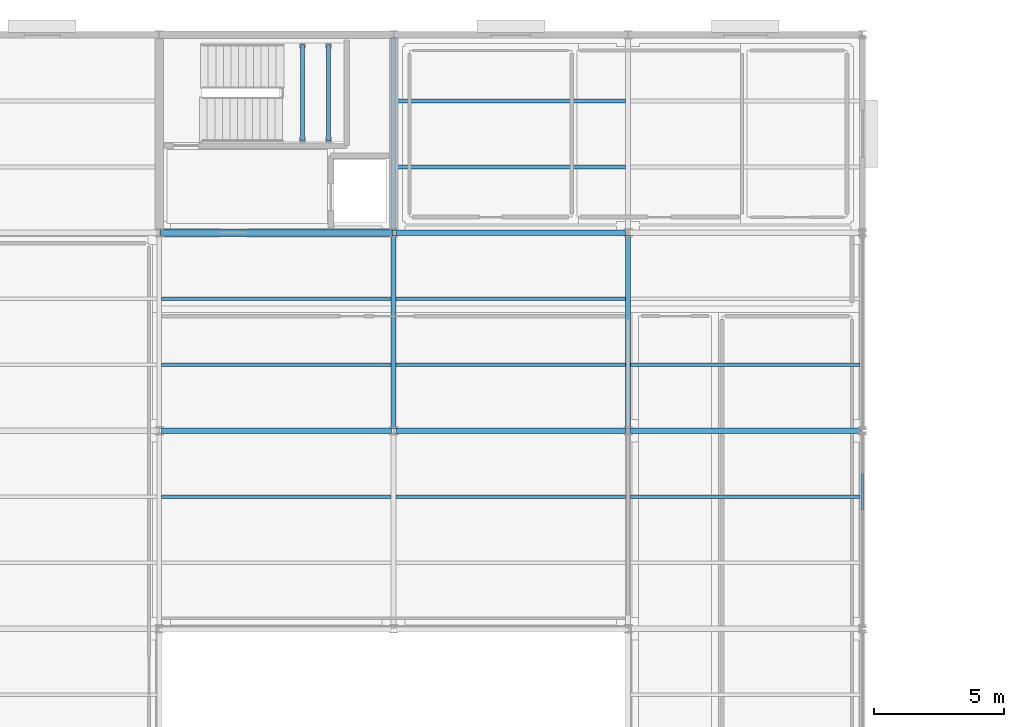
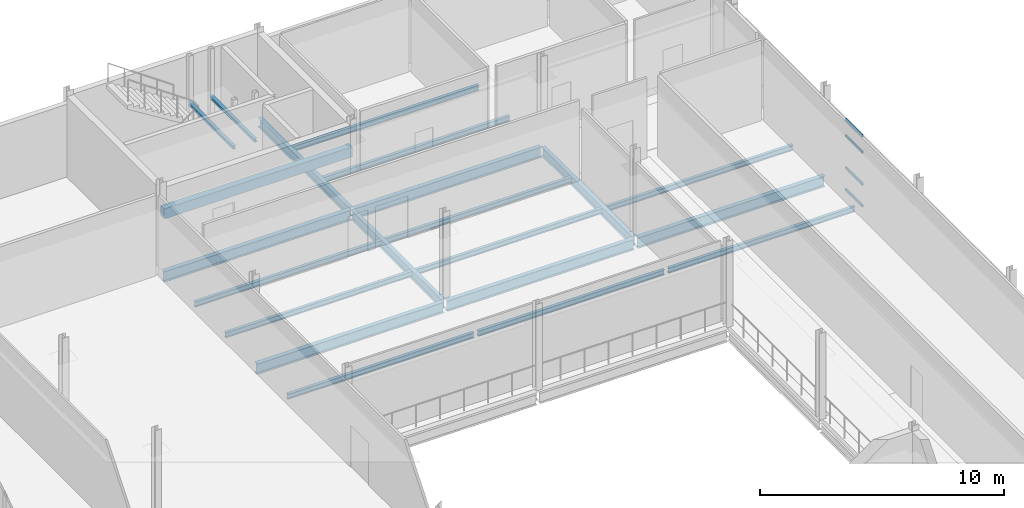
# One storey, part 119 of 166: 21 beams, 4 members, 1 element without a shape of its own.
"""IFC4 building model written with IfcOpenShell, lengths in metres."""

from ifc_helpers import new_model, si_unit, direction, frame, origin, origin_2d, place, context, subcontext, project, spatial, rectangle, hollow_rectangle, i_section, extrude, material, material_profile, profile_set, type_object, element, aggregate, save


model = new_model("IFC4")

# Units and contexts
model_context = context("Model", 3, precision=1e-05, world=origin(), true_north=direction((0.0, 1.0)))
body_context = subcontext(model_context, "Body", "Model", "MODEL_VIEW")
ifc_project = project(units=[si_unit("LENGTHUNIT", "METRE"), si_unit("AREAUNIT", "SQUARE_METRE"), si_unit("VOLUMEUNIT", "CUBIC_METRE"), si_unit("PLANEANGLEUNIT", "RADIAN"), si_unit("MASSUNIT", "GRAM", prefix="KILO")], contexts=[model_context])

# Site, building, storey
site_placement = place(None, origin())
site = spatial("IfcSite", under=ifc_project, at=site_placement, CompositionType="ELEMENT")
building_placement = place(site_placement, origin())
building = spatial("IfcBuilding", under=site, at=building_placement, Name="Caisbarro Railhouse Central Library", CompositionType="ELEMENT")
storey_placement = place(building_placement, frame((0.0, 0.0, 9.360107421875)))
storey = spatial("IfcBuildingStorey", under=building, at=storey_placement, Name="L02", CompositionType="ELEMENT", Elevation=9.360107421875)

# Beams
ifc_material_1 = material(Name="Steel ASTM A572 Grade 50", Category="steel")
ifc_material_profile_1 = material_profile(ifc_material_1, i_section(OverallWidth=0.208984375, OverallDepth=0.532958984375, WebThickness=0.01025390625, FlangeThickness=0.015625, FilletRadius=0.02001953125, at=origin_2d()), Name="W530X92.0")
ifc_profile_set_1 = profile_set([ifc_material_profile_1], Name="Steel ASTM A572 Grade 50")
beam_type_1 = type_object("IfcBeamType", Name="BM-G06", PredefinedType="BEAM", material=ifc_profile_set_1)
for number, where, z_axis, x_axis, name in (
    (1, (126.080078125, 98.800048828125, -0.486572265625), (1.0, 0.0, 0.0), (0.0, 1.0, 0.0), "G06 beam L02 #1495"),
    (2, (135.080078125, 98.800048828125, -0.486572265625), (1.0, 0.0, 0.0), (0.0, 1.0, 0.0), "G06 beam L02 #1496"),
    (3, (144.080078125, 98.800048828125, -0.486572265625), (1.0, 0.0, 0.0), (0.0, 1.0, 0.0), "G06 beam L02 #1497"),
    (4, (126.080078125, 106.39990234375, -0.486572265625), (1.0, 0.0, 0.0), (0.0, 1.0, 0.0), "G06 beam L02 #1499"),
    (5, (135.080078125, 106.39990234375, -0.486572265625), (1.0, 0.0, 0.0), (0.0, 1.0, 0.0), "G06 beam L02 #1500"),
):
    element("IfcBeam", number, at=place(storey_placement, frame(where, z_axis=z_axis, x_axis=x_axis)), inside=storey, type_object=beam_type_1, Name=name, PredefinedType="BEAM", context=body_context, shape_type="SweptSolid", body=[
        extrude(i_section(OverallWidth=0.208984375, OverallDepth=0.532958984375, WebThickness=0.01025390625, FlangeThickness=0.015625, FilletRadius=0.02001953125, at=origin_2d()), origin(), (0.0, 0.0, 1.0), 8.83984375),
    ])
ifc_material_profile_2 = material_profile(ifc_material_1, i_section(OverallWidth=0.18994140625, OverallDepth=0.45703125, WebThickness=0.009033203125, FlangeThickness=0.014404296875, FilletRadius=0.01806640625, at=origin_2d()), Name="W460X74.0")
ifc_profile_set_2 = profile_set([ifc_material_profile_2], Name="Steel ASTM A572 Grade 50")
beam_type_2 = type_object("IfcBeamType", Name="BM-G08", PredefinedType="BEAM", material=ifc_profile_set_2)
beam_1_placement = place(storey_placement, frame((135.0, 98.8798828125, -0.448486328125), z_axis=(0.0, 1.0, 0.0), x_axis=(-1.0, 0.0, 0.0)))
element("IfcBeam", 6, at=beam_1_placement, inside=storey, type_object=beam_type_2, Name="G08 beam L02 #1523", PredefinedType="BEAM", context=body_context, shape_type="SweptSolid", body=[
    extrude(i_section(OverallWidth=0.18994140625, OverallDepth=0.45703125, WebThickness=0.009033203125, FlangeThickness=0.014404296875, FilletRadius=0.01806640625, at=origin_2d()), origin(), (0.0, 0.0, 1.0), 7.440185546875),
])
beam_2_placement = place(storey_placement, frame((135.0, 106.47998046875, -0.448486328125), z_axis=(0.0, 1.0, 0.0), x_axis=(-1.0, 0.0, 0.0)))
element("IfcBeam", 7, at=beam_2_placement, inside=storey, type_object=beam_type_2, Name="G08 beam L02 #1524", PredefinedType="BEAM", context=body_context, shape_type="SweptSolid", body=[
    extrude(i_section(OverallWidth=0.18994140625, OverallDepth=0.45703125, WebThickness=0.009033203125, FlangeThickness=0.014404296875, FilletRadius=0.01806640625, at=origin_2d()), origin(), (0.0, 0.0, 1.0), 7.43994140625),
])
beam_3_placement = place(storey_placement, frame((144.0, 98.8798828125, -0.448486328125), z_axis=(0.0, 1.0, 0.0), x_axis=(-1.0, 0.0, 0.0)))
element("IfcBeam", 8, at=beam_3_placement, inside=storey, type_object=beam_type_2, Name="G08 beam L02 #1530", PredefinedType="BEAM", context=body_context, shape_type="SweptSolid", body=[
    extrude(i_section(OverallWidth=0.18994140625, OverallDepth=0.45703125, WebThickness=0.009033203125, FlangeThickness=0.014404296875, FilletRadius=0.01806640625, at=origin_2d()), origin(), (0.0, 0.0, 1.0), 7.440185546875),
])
ifc_material_profile_3 = material_profile(ifc_material_1, i_section(OverallWidth=0.14794921875, OverallDepth=0.26611328125, WebThickness=0.007568359375, FlangeThickness=0.012939453125, FilletRadius=0.010009765625, at=origin_2d()), Name="W250X44.8")
ifc_profile_set_3 = profile_set([ifc_material_profile_3], Name="Steel ASTM A572 Grade 50")
beam_type_3 = type_object("IfcBeamType", Name="BM-J04", PredefinedType="JOIST", material=ifc_profile_set_3)
for number, where, z_axis, x_axis, name in (
    (9, (126.094970703125, 96.2666015625, -0.35302734375), (1.0, 0.0, 0.0), (0.0, 1.0, 0.0), "J04 beam L02 #1558"),
    (10, (126.094970703125, 101.333251953125, -0.35302734375), (1.0, 0.0, 0.0), (0.0, 1.0, 0.0), "J04 beam L02 #1559"),
    (11, (126.094970703125, 103.86669921875, -0.35302734375), (1.0, 0.0, 0.0), (0.0, 1.0, 0.0), "J04 beam L02 #1560"),
    (12, (135.094970703125, 96.2666015625, -0.35302734375), (1.0, 0.0, 0.0), (0.0, 1.0, 0.0), "J04 beam L02 #1564"),
    (13, (135.094970703125, 101.333251953125, -0.35302734375), (1.0, 0.0, 0.0), (0.0, 1.0, 0.0), "J04 beam L02 #1565"),
    (14, (135.094970703125, 103.86669921875, -0.35302734375), (1.0, 0.0, 0.0), (0.0, 1.0, 0.0), "J04 beam L02 #1566"),
    (15, (135.094970703125, 108.933349609375, -0.35302734375), (1.0, 0.0, 0.0), (0.0, 1.0, 0.0), "J04 beam L02 #1567"),
    (16, (135.094970703125, 111.466796875, -0.35302734375), (1.0, 0.0, 0.0), (0.0, 1.0, 0.0), "J04 beam L02 #1568"),
):
    element("IfcBeam", number, at=place(storey_placement, frame(where, z_axis=z_axis, x_axis=x_axis)), inside=storey, type_object=beam_type_3, Name=name, PredefinedType="JOIST", context=body_context, shape_type="SweptSolid", body=[
        extrude(i_section(OverallWidth=0.14794921875, OverallDepth=0.26611328125, WebThickness=0.007568359375, FlangeThickness=0.012939453125, FilletRadius=0.010009765625, at=origin_2d()), origin(), (0.0, 0.0, 1.0), 8.81005859375),
    ])
for number, where, z_axis, x_axis, name in (
    (17, (144.094970703125, 96.2666015625, -0.35302734375), (1.0, 0.0, 0.0), (0.0, 1.0, 0.0), "J04 beam L02 #1578"),
    (18, (144.094970703125, 101.333251953125, -0.35302734375), (1.0, 0.0, 0.0), (0.0, 1.0, 0.0), "J04 beam L02 #1579"),
):
    element("IfcBeam", number, at=place(storey_placement, frame(where, z_axis=z_axis, x_axis=x_axis)), inside=storey, type_object=beam_type_3, Name=name, PredefinedType="JOIST", context=body_context, shape_type="SweptSolid", body=[
        extrude(i_section(OverallWidth=0.14794921875, OverallDepth=0.26611328125, WebThickness=0.007568359375, FlangeThickness=0.012939453125, FilletRadius=0.010009765625, at=origin_2d()), origin(), (0.0, 0.0, 1.0), 8.804931640625),
    ])
ifc_material_2 = material(Name="Concrete C40", Category="concrete")
ifc_material_profile_4 = material_profile(ifc_material_2, rectangle(XDim=0.300048828125, YDim=0.5, at=origin_2d()), Name="RC-LIN-300X500")
ifc_profile_set_4 = profile_set([ifc_material_profile_4], Name="Concrete C40")
beam_type_4 = type_object("IfcBeamType", Name="BM-LN02", PredefinedType="LINTEL", material=ifc_profile_set_4)
beam_4_placement = place(storey_placement, frame((126.050048828125, 106.39990234375, 2.699951171875), z_axis=(1.0, 0.0, 0.0), x_axis=(0.0, 1.0, 0.0)))
element("IfcBeam", 19, at=beam_4_placement, inside=storey, type_object=beam_type_4, Name="LN02 RC core coupling lintel K3 L02", PredefinedType="LINTEL", context=body_context, shape_type="SweptSolid", body=[
    extrude(rectangle(XDim=0.300048828125, YDim=0.5, at=origin_2d()), origin(), (0.0, 0.0, 1.0), 8.89990234375),
])
ifc_material_profile_5 = material_profile(ifc_material_1, i_section(OverallWidth=0.152099609375, OverallDepth=0.152099609375, WebThickness=0.005859375, FlangeThickness=0.006591796875, FilletRadius=0.008056640625, at=origin_2d()), Name="W150X22.5")
ifc_profile_set_5 = profile_set([ifc_material_profile_5], Name="Steel ASTM A572 Grade 50")
beam_type_5 = type_object("IfcBeamType", Name="BM-SL02", PredefinedType="BEAM", material=ifc_profile_set_5)
for number, where, z_axis, x_axis, name in (
    (20, (131.5, 109.929931640625, 1.893798828125), (0.0, 1.0, 0.0), (-1.0, 0.0, 0.0), "SL02 Stair Landing Support Beam K3 L02 W"),
    (21, (132.5, 109.929931640625, 1.893798828125), (0.0, 1.0, 0.0), (-1.0, 0.0, 0.0), "SL02 Stair Landing Support Beam K3 L02 E"),
):
    element("IfcBeam", number, at=place(storey_placement, frame(where, z_axis=z_axis, x_axis=x_axis)), inside=storey, type_object=beam_type_5, Name=name, PredefinedType="BEAM", context=body_context, shape_type="SweptSolid", body=[
        extrude(i_section(OverallWidth=0.152099609375, OverallDepth=0.152099609375, WebThickness=0.005859375, FlangeThickness=0.006591796875, FilletRadius=0.008056640625, at=origin_2d()), origin(), (0.0, 0.0, 1.0), 3.690185546875),
    ])

# Curtain wall, members
ifc_material_3 = material(Name="Anodised architectural aluminium", Category="aluminium")
curtain_wall_type = type_object("IfcCurtainWallType", Name="CW-CW03", PredefinedType="NOTDEFINED", material=ifc_material_3)
curtain_wall_placement = place(storey_placement, origin())
curtain_wall = element("IfcCurtainWall", 22, at=curtain_wall_placement, inside=storey, type_object=curtain_wall_type, Name="CW03 curtain wall L02 #140", PredefinedType="NOTDEFINED")
ifc_material_profile_6 = material_profile(ifc_material_3, hollow_rectangle(XDim=0.06494140625, YDim=0.1201171875, WallThickness=0.00341796875, at=origin_2d()), Name="ALU-TRN-65X120")
ifc_profile_set_6 = profile_set([ifc_material_profile_6], Name="Anodised architectural aluminium")
member_type = type_object("IfcMemberType", Name="CWT-T02", PredefinedType="USERDEFINED", material=ifc_profile_set_6)
member_1_placement = place(storey_placement, frame((153.0, 95.760498046875, 0.032470703125), z_axis=(0.0, 1.0, 0.0), x_axis=(-1.0, 0.0, 0.0)))
member_1 = element("IfcMember", 23, at=member_1_placement, type_object=member_type, Name="CW03 transom 4.1", ObjectType="TRANSOM", PredefinedType="USERDEFINED", context=body_context, shape_type="SweptSolid", body=[
    extrude(hollow_rectangle(XDim=0.06494140625, YDim=0.1201171875, WallThickness=0.00341796875, at=origin_2d()), origin(), (0.0, 0.0, 1.0), 1.39111328125),
])
member_2_placement = place(storey_placement, frame((153.0, 95.760498046875, 1.119873046875), z_axis=(0.0, 1.0, 0.0), x_axis=(-1.0, 0.0, 0.0)))
member_2 = element("IfcMember", 24, at=member_2_placement, type_object=member_type, Name="CW03 transom 4.2", ObjectType="TRANSOM", PredefinedType="USERDEFINED", context=body_context, shape_type="SweptSolid", body=[
    extrude(hollow_rectangle(XDim=0.06494140625, YDim=0.1201171875, WallThickness=0.00341796875, at=origin_2d()), origin(), (0.0, 0.0, 1.0), 1.39111328125),
])
member_3_placement = place(storey_placement, frame((153.0, 95.760498046875, 2.7099609375), z_axis=(0.0, 1.0, 0.0), x_axis=(-1.0, 0.0, 0.0)))
member_3 = element("IfcMember", 25, at=member_3_placement, type_object=member_type, Name="CW03 transom 4.3", ObjectType="TRANSOM", PredefinedType="USERDEFINED", context=body_context, shape_type="SweptSolid", body=[
    extrude(hollow_rectangle(XDim=0.06494140625, YDim=0.1201171875, WallThickness=0.00341796875, at=origin_2d()), origin(), (0.0, 0.0, 1.0), 1.39111328125),
])
member_4_placement = place(storey_placement, frame((153.0, 95.760498046875, 3.52734375), z_axis=(0.0, 1.0, 0.0), x_axis=(-1.0, 0.0, 0.0)))
member_4 = element("IfcMember", 26, at=member_4_placement, type_object=member_type, Name="CW03 transom 4.4", ObjectType="TRANSOM", PredefinedType="USERDEFINED", context=body_context, shape_type="SweptSolid", body=[
    extrude(hollow_rectangle(XDim=0.06494140625, YDim=0.1201171875, WallThickness=0.00341796875, at=origin_2d()), origin(), (0.0, 0.0, 1.0), 1.39111328125),
])
aggregate(curtain_wall, [member_1, member_2, member_3, member_4])

save(model, "model.ifc")
